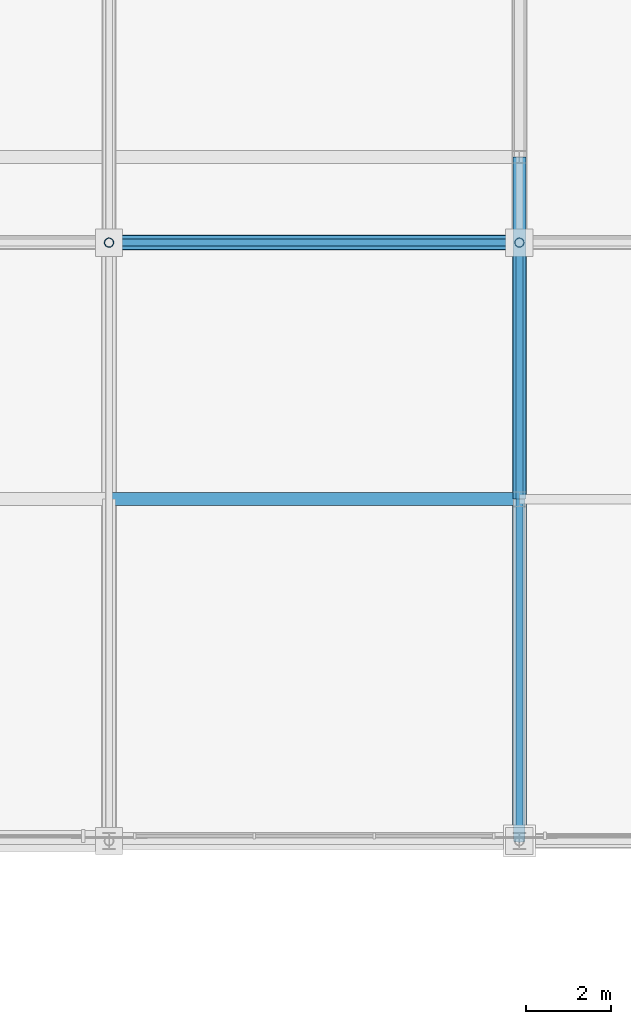
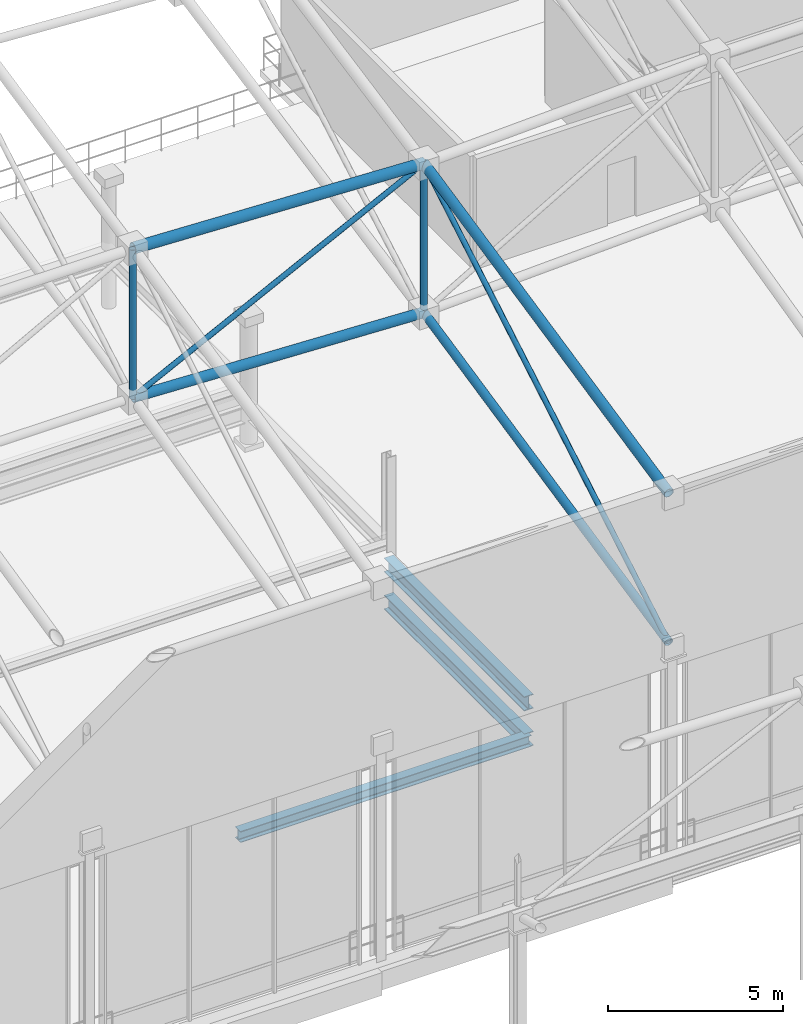
# One storey, part 107 of 193: 8 members, 3 beams.
"""IFC4 building model written with IfcOpenShell, lengths in metres."""

from ifc_helpers import new_model, si_unit, direction, frame, origin, origin_2d, place, context, subcontext, project, spatial, hollow_circle, i_section, extrude, material, material_profile, profile_set, type_object, element, save


model = new_model("IFC4")

# Units and contexts
model_context = context("Model", 3, precision=1e-05, world=origin(), true_north=direction((0.0, 1.0)))
body_context = subcontext(model_context, "Body", "Model", "MODEL_VIEW")
ifc_project = project(units=[si_unit("LENGTHUNIT", "METRE"), si_unit("AREAUNIT", "SQUARE_METRE"), si_unit("VOLUMEUNIT", "CUBIC_METRE"), si_unit("PLANEANGLEUNIT", "RADIAN"), si_unit("MASSUNIT", "GRAM", prefix="KILO")], contexts=[model_context])

# Site, building, storey
site_placement = place(None, origin())
site = spatial("IfcSite", under=ifc_project, at=site_placement, CompositionType="ELEMENT")
building_placement = place(site_placement, origin())
building = spatial("IfcBuilding", under=site, at=building_placement, Name="Danafjord Basin Convention Centre", CompositionType="ELEMENT")
storey_placement = place(building_placement, frame((0.0, 0.0, 11.39990234375)))
storey = spatial("IfcBuildingStorey", under=building, at=storey_placement, Name="L02", CompositionType="ELEMENT", Elevation=11.39990234375)

# Beams
ifc_material = material(Name="Steel S355", Category="steel")
ifc_material_profile_1 = material_profile(ifc_material, i_section(OverallWidth=0.300048828125, OverallDepth=0.389892578125, WebThickness=0.010986328125, FlangeThickness=0.01904296875, FilletRadius=0.027099609375, at=origin_2d()), Name="HEA 400")
ifc_profile_set_1 = profile_set([ifc_material_profile_1], Name="Steel S355")
beam_type_1 = type_object("IfcBeamType", Name="BEAM-BM-HEA400", PredefinedType="BEAM", material=ifc_profile_set_1)
beam_placement = place(storey_placement, frame((163.199951171875, 96.0, -0.554931640625), z_axis=(1.0, 0.0, 0.0), x_axis=(0.0, 1.0, 0.0)))
element("IfcBeam", 1, at=beam_placement, inside=storey, type_object=beam_type_1, Name="L02 girder BM-HEA400", PredefinedType="BEAM", context=body_context, shape_type="SweptSolid", body=[
    extrude(i_section(OverallWidth=0.300048828125, OverallDepth=0.389892578125, WebThickness=0.010986328125, FlangeThickness=0.01904296875, FilletRadius=0.027099609375, at=origin_2d()), origin(), (0.0, 0.0, 1.0), 9.60009765625),
])
ifc_material_profile_2 = material_profile(ifc_material, i_section(OverallWidth=0.300048828125, OverallDepth=0.5, WebThickness=0.014404296875, FlangeThickness=0.028076171875, FilletRadius=0.027099609375, at=origin_2d()), Name="HEB 500")
ifc_profile_set_2 = profile_set([ifc_material_profile_2], Name="Steel S355")
beam_type_2 = type_object("IfcBeamType", Name="BEAM-BM-HEB500", PredefinedType="BEAM", material=ifc_profile_set_2)
for number, where, z_axis, x_axis, name in (
    (2, (172.800048828125, 96.0, 0.690185546875), (0.0, 1.0, 0.0), (-1.0, 0.0, 0.0), "Balcony tier carrier girder"),
    (3, (172.800048828125, 96.0, -0.60986328125), (0.0, 1.0, 0.0), (-1.0, 0.0, 0.0), "L02 transverse girder BM-HEB500"),
):
    element("IfcBeam", number, at=place(storey_placement, frame(where, z_axis=z_axis, x_axis=x_axis)), inside=storey, type_object=beam_type_2, Name=name, PredefinedType="BEAM", context=body_context, shape_type="SweptSolid", body=[
        extrude(i_section(OverallWidth=0.300048828125, OverallDepth=0.5, WebThickness=0.014404296875, FlangeThickness=0.028076171875, FilletRadius=0.027099609375, at=origin_2d()), origin(), (0.0, 0.0, 1.0), 8.0),
    ])

# Members
ifc_material_profile_3 = material_profile(ifc_material, hollow_circle(Radius=0.136474609375, WallThickness=0.012451171875, at=origin_2d()), Name="CHS 273.0x12.5")
ifc_profile_set_3 = profile_set([ifc_material_profile_3], Name="Steel S355")
member_type_1 = type_object("IfcMemberType", Name="MEM-CH-CHS273", PredefinedType="CHORD", material=ifc_profile_set_3)
member_1_placement = place(storey_placement, frame((172.800048828125, 88.0, 7.650146484375), z_axis=(0.0, 0.977574816631, 0.210588408724), x_axis=(-1.0, 0.0, 0.0)))
element("IfcMember", 4, at=member_1_placement, inside=storey, type_object=member_type_1, Name="V2 roof truss transverse bottom chord", PredefinedType="CHORD", context=body_context, shape_type="SweptSolid", body=[
    extrude(hollow_circle(Radius=0.136474609375, WallThickness=0.012451171875, at=origin_2d()), origin(), (0.0, 0.0, 1.0), 14.321044921875),
])
ifc_material_profile_4 = material_profile(ifc_material, hollow_circle(Radius=0.161865234375, WallThickness=0.01611328125, at=origin_2d()), Name="CHS 323.9x16.0")
ifc_profile_set_4 = profile_set([ifc_material_profile_4], Name="Steel S355")
member_type_2 = type_object("IfcMemberType", Name="MEM-CH-CHS324", PredefinedType="CHORD", material=ifc_profile_set_4)
member_2_placement = place(storey_placement, frame((163.199951171875, 102.0, 11.059814453125), z_axis=(0.999159728014, 0.0, -0.040985825779), x_axis=(0.0, 1.0, 0.0)))
element("IfcMember", 5, at=member_2_placement, inside=storey, type_object=member_type_2, Name="V2 roof truss longitudinal bottom chord", PredefinedType="CHORD", context=body_context, shape_type="SweptSolid", body=[
    extrude(hollow_circle(Radius=0.161865234375, WallThickness=0.01611328125, at=origin_2d()), origin(), (0.0, 0.0, 1.0), 9.608154296875),
])
member_3_placement = place(storey_placement, frame((172.800048828125, 88.0, 12.85009765625), z_axis=(0.0, 0.977571306998, 0.210604700172), x_axis=(-1.0, 0.0, 0.0)))
element("IfcMember", 6, at=member_3_placement, inside=storey, type_object=member_type_2, Name="V2 roof truss transverse top chord", PredefinedType="CHORD", context=body_context, shape_type="SweptSolid", body=[
    extrude(hollow_circle(Radius=0.161865234375, WallThickness=0.01611328125, at=origin_2d()), origin(), (0.0, 0.0, 1.0), 14.3212890625),
])
ifc_material_profile_5 = material_profile(ifc_material, hollow_circle(Radius=0.177734375, WallThickness=0.01611328125, at=origin_2d()), Name="CHS 355.6x16.0")
ifc_profile_set_5 = profile_set([ifc_material_profile_5], Name="Steel S355")
member_type_3 = type_object("IfcMemberType", Name="MEM-CH-CHS355", PredefinedType="CHORD", material=ifc_profile_set_5)
member_4_placement = place(storey_placement, frame((163.199951171875, 102.0, 16.259765625), z_axis=(0.999160768255, 0.0, -0.040960458736), x_axis=(0.0, 1.0, 0.0)))
element("IfcMember", 7, at=member_4_placement, inside=storey, type_object=member_type_3, Name="V2 roof truss longitudinal top chord", PredefinedType="CHORD", context=body_context, shape_type="SweptSolid", body=[
    extrude(hollow_circle(Radius=0.177734375, WallThickness=0.01611328125, at=origin_2d()), origin(), (0.0, 0.0, 1.0), 9.608154296875),
])
ifc_material_profile_6 = material_profile(ifc_material, hollow_circle(Radius=0.109619140625, WallThickness=0.010009765625, at=origin_2d()), Name="CHS 219.1x10.0")
ifc_profile_set_6 = profile_set([ifc_material_profile_6], Name="Steel S355")
member_type_4 = type_object("IfcMemberType", Name="MEM-ST-CHS219", PredefinedType="STRUT", material=ifc_profile_set_6)
member_5_placement = place(storey_placement, frame((163.199951171875, 102.0, 11.059814453125), z_axis=(0.0, 0.0, 1.0), x_axis=(1.0, 0.0, 0.0)))
element("IfcMember", 8, at=member_5_placement, inside=storey, type_object=member_type_4, Name="V2 roof truss vertical strut", PredefinedType="STRUT", context=body_context, shape_type="SweptSolid", body=[
    extrude(hollow_circle(Radius=0.109619140625, WallThickness=0.010009765625, at=origin_2d()), origin(), (0.0, 0.0, 1.0), 5.199951171875),
])
member_6_placement = place(storey_placement, frame((172.800048828125, 102.0, 10.666015625), z_axis=(0.0, 0.0, 1.0), x_axis=(1.0, 0.0, 0.0)))
element("IfcMember", 9, at=member_6_placement, inside=storey, type_object=member_type_4, Name="V2 roof truss vertical strut", PredefinedType="STRUT", context=body_context, shape_type="SweptSolid", body=[
    extrude(hollow_circle(Radius=0.109619140625, WallThickness=0.010009765625, at=origin_2d()), origin(), (0.0, 0.0, 1.0), 5.2001953125),
])
ifc_material_profile_7 = material_profile(ifc_material, hollow_circle(Radius=0.084228515625, WallThickness=0.008056640625, at=origin_2d()), Name="CHS 168.3x8.0")
ifc_profile_set_7 = profile_set([ifc_material_profile_7], Name="Steel S355")
member_type_5 = type_object("IfcMemberType", Name="MEM-WB-CHS168", PredefinedType="MEMBER", material=ifc_profile_set_7)
member_7_placement = place(storey_placement, frame((163.199951171875, 102.0, 11.059814453125), z_axis=(0.894190567742, 0.0, 0.447686529351), x_axis=(0.0, 1.0, 0.0)))
element("IfcMember", 10, at=member_7_placement, inside=storey, type_object=member_type_5, Name="V2 space-frame longitudinal web", PredefinedType="MEMBER", context=body_context, shape_type="SweptSolid", body=[
    extrude(hollow_circle(Radius=0.084228515625, WallThickness=0.008056640625, at=origin_2d()), origin(), (0.0, 0.0, 1.0), 10.736083984375),
])
member_8_placement = place(storey_placement, frame((172.800048828125, 88.0, 7.650146484375), z_axis=(0.0, 0.862451465238, 0.506139773292), x_axis=(-1.0, 0.0, 0.0)))
element("IfcMember", 11, at=member_8_placement, inside=storey, type_object=member_type_5, Name="V2 space-frame transverse web", PredefinedType="MEMBER", context=body_context, shape_type="SweptSolid", body=[
    extrude(hollow_circle(Radius=0.084228515625, WallThickness=0.008056640625, at=origin_2d()), origin(), (0.0, 0.0, 1.0), 16.23291015625),
])

save(model, "model.ifc")
